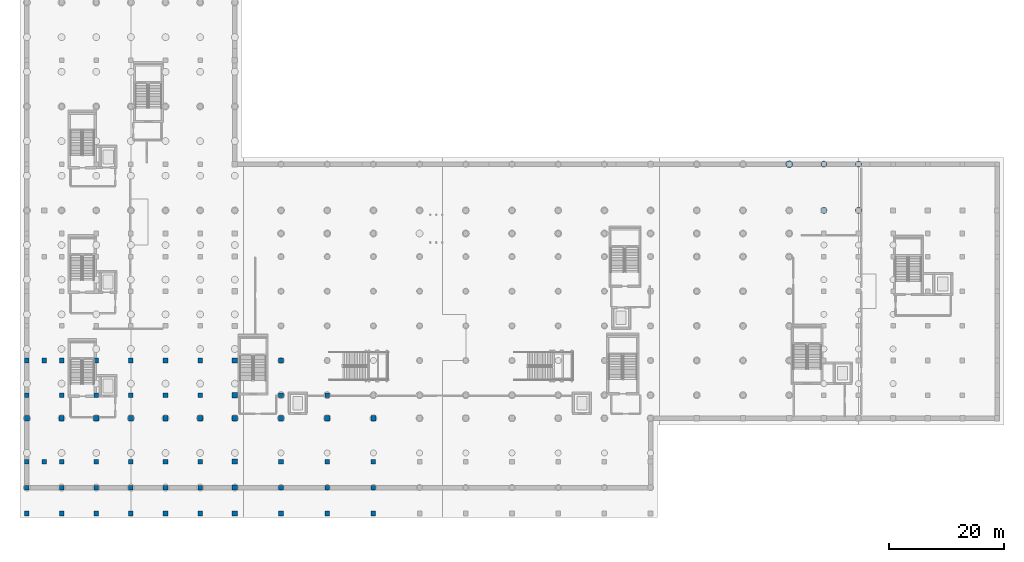
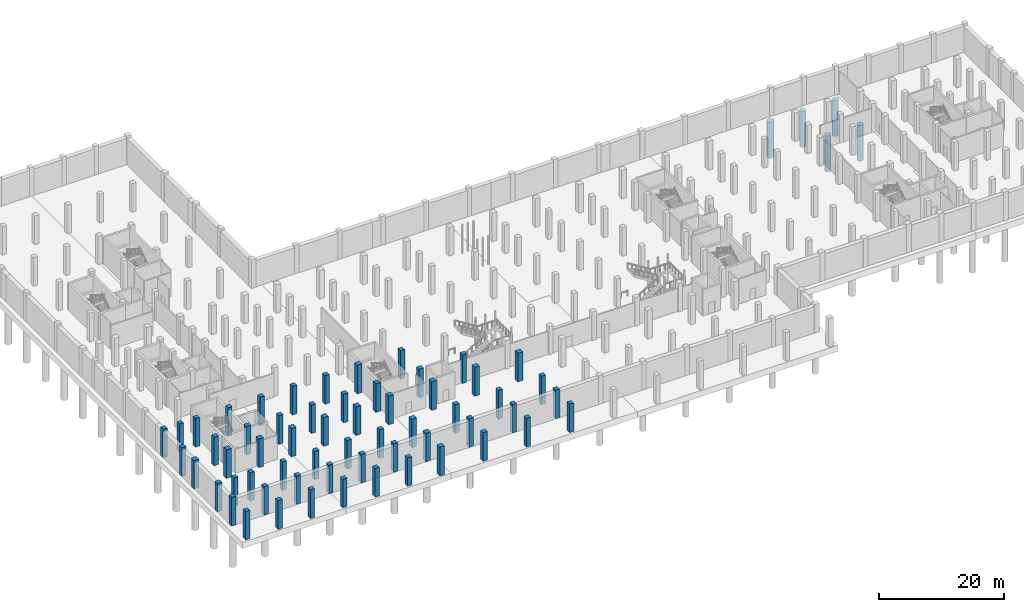
# One storey, part 2 of 26: 59 columns, 5 piles.
"""IFC4 building model written with IfcOpenShell, lengths in metres."""

from ifc_helpers import new_model, si_unit, direction, frame, origin, origin_2d, place, context, subcontext, project, spatial, rectangle, circle, extrude, material, material_profile, profile_set, type_object, element, save


model = new_model("IFC4")

# Units and contexts
model_context = context("Model", 3, precision=1e-05, world=origin(), true_north=direction((0.0, 1.0)))
body_context = subcontext(model_context, "Body", "Model", "MODEL_VIEW")
ifc_project = project(units=[si_unit("LENGTHUNIT", "METRE"), si_unit("AREAUNIT", "SQUARE_METRE"), si_unit("VOLUMEUNIT", "CUBIC_METRE"), si_unit("PLANEANGLEUNIT", "RADIAN"), si_unit("MASSUNIT", "GRAM", prefix="KILO")], contexts=[model_context])

# Site, building, storey
site_placement = place(None, origin())
site = spatial("IfcSite", under=ifc_project, at=site_placement, CompositionType="ELEMENT")
building_placement = place(site_placement, origin())
building = spatial("IfcBuilding", under=site, at=building_placement, Name="Verrall Gate Interchange", CompositionType="ELEMENT")
storey_placement = place(building_placement, frame((0.0, 0.0, -10.39990234375)))
storey = spatial("IfcBuildingStorey", under=building, at=storey_placement, Name="B2", CompositionType="ELEMENT", Elevation=-10.39990234375)

# Piles
ifc_material_1 = material(Name="Concrete CSA A23.1 35 MPa (Class S-2)", Category="concrete")
ifc_material_profile_1 = material_profile(ifc_material_1, circle(Radius=0.60009765625, at=origin_2d()), Name="PILE1200D")
ifc_profile_set_1 = profile_set([ifc_material_profile_1], Name="Concrete CSA A23.1 35 MPa (Class S-2)")
pile_type_1 = type_object("IfcPileType", Name="PT-01 Bored Pile 1200", PredefinedType="BORED", material=ifc_profile_set_1)
pile_placement = place(storey_placement, frame((132.0, 56.0, -1.050048828125), z_axis=(0.0, 0.0, -1.0), x_axis=(1.0, 0.0, 0.0)))
element("IfcPile", 1, at=pile_placement, inside=storey, type_object=pile_type_1, Name="Bored Rock-Socketed Pile P-242 (PT-01)", PredefinedType="BORED", context=body_context, shape_type="SweptSolid", body=[
    extrude(circle(Radius=0.60009765625, at=origin_2d()), origin(), (0.0, 0.0, 1.0), 7.050048828125),
])
ifc_material_2 = material(Name="Concrete CSA A23.1 35 MPa (Class S-2)", Category="concrete")
ifc_material_profile_2 = material_profile(ifc_material_2, circle(Radius=0.52490234375, at=origin_2d()), Name="PILE1050D")
ifc_profile_set_2 = profile_set([ifc_material_profile_2], Name="Concrete CSA A23.1 35 MPa (Class S-2)")
pile_type_2 = type_object("IfcPileType", Name="PT-02 Bored Pile 1050", PredefinedType="BORED", material=ifc_profile_set_2)
for number, where, z_axis, x_axis, name in (
    (2, (138.0, 48.0, -1.050048828125), (0.0, 0.0, -1.0), (1.0, 0.0, 0.0), "Bored Rock-Socketed Pile P-249 (PT-02)"),
    (3, (138.0, 56.0, -1.050048828125), (0.0, 0.0, -1.0), (1.0, 0.0, 0.0), "Bored Rock-Socketed Pile P-250 (PT-02)"),
    (4, (144.0, 48.0, -1.050048828125), (0.0, 0.0, -1.0), (1.0, 0.0, 0.0), "Bored Rock-Socketed Pile P-257 (PT-02)"),
    (5, (144.0, 56.0, -1.050048828125), (0.0, 0.0, -1.0), (1.0, 0.0, 0.0), "Bored Rock-Socketed Pile P-258 (PT-02)"),
):
    element("IfcPile", number, at=place(storey_placement, frame(where, z_axis=z_axis, x_axis=x_axis)), inside=storey, type_object=pile_type_2, Name=name, PredefinedType="BORED", context=body_context, shape_type="SweptSolid", body=[
        extrude(circle(Radius=0.52490234375, at=origin_2d()), origin(), (0.0, 0.0, 1.0), 7.050048828125),
    ])

# Columns
ifc_material_3 = material(Name="Concrete CSA A23.1 40 MPa (Class N)", Category="concrete")
ifc_material_profile_3 = material_profile(ifc_material_3, rectangle(XDim=0.89990234375, YDim=0.89990234375, at=origin_2d()), Name="RC900x900")
ifc_profile_set_3 = profile_set([ifc_material_profile_3], Name="Concrete CSA A23.1 40 MPa (Class N)")
column_type_1 = type_object("IfcColumnType", Name="C-01 Column RC900x900", PredefinedType="COLUMN", material=ifc_profile_set_3)
for number, where, z_axis, x_axis, name in (
    (6, (0.0, 12.0, 0.0), (0.0, 0.0, 1.0), (1.0, 0.0, 0.0), "B2 Column COL-B2-0016 (C-01)"),
    (7, (6.0, 12.0, 0.0), (0.0, 0.0, 1.0), (1.0, 0.0, 0.0), "B2 Column COL-B2-0145 (C-01)"),
    (8, (12.0, 12.0, 0.0), (0.0, 0.0, 1.0), (1.0, 0.0, 0.0), "B2 Column COL-B2-0262 (C-01)"),
    (9, (18.0, 12.0, 0.0), (0.0, 0.0, 1.0), (1.0, 0.0, 0.0), "B2 Column COL-B2-0379 (C-01)"),
    (10, (24.0, 12.0, 0.0), (0.0, 0.0, 1.0), (1.0, 0.0, 0.0), "B2 Column COL-B2-0496 (C-01)"),
    (11, (30.0, 12.0, 0.0), (0.0, 0.0, 1.0), (1.0, 0.0, 0.0), "B2 Column COL-B2-0613 (C-01)"),
    (12, (36.0, -4.5, 0.0), (0.0, 0.0, 1.0), (1.0, 0.0, 0.0), "B2 Column COL-B2-0714 (C-01)"),
    (13, (36.0, 0.0, 0.0), (0.0, 0.0, 1.0), (1.0, 0.0, 0.0), "B2 Column COL-B2-0716 (C-01)"),
    (14, (36.0, 4.5, 0.0), (0.0, 0.0, 1.0), (1.0, 0.0, 0.0), "B2 Column COL-B2-0722 (C-01)"),
    (15, (36.0, 12.0, 0.0), (0.0, 0.0, 1.0), (1.0, 0.0, 0.0), "B2 Column COL-B2-0730 (C-01)"),
    (16, (36.0, 16.0, 0.0), (0.0, 0.0, 1.0), (1.0, 0.0, 0.0), "B2 Column COL-B2-0738 (C-01)"),
    (17, (36.0, 22.0, 0.0), (0.0, 0.0, 1.0), (1.0, 0.0, 0.0), "B2 Column COL-B2-0746 (C-01)"),
    (18, (44.0, 12.0, 0.0), (0.0, 0.0, 1.0), (1.0, 0.0, 0.0), "B2 Column COL-B2-0834 (C-01)"),
    (19, (52.0, 12.0, 0.0), (0.0, 0.0, 1.0), (1.0, 0.0, 0.0), "B2 Column COL-B2-0872 (C-01)"),
    (20, (60.0, 12.0, 0.0), (0.0, 0.0, 1.0), (1.0, 0.0, 0.0), "B2 Column COL-B2-0910 (C-01)"),
):
    element("IfcColumn", number, at=place(storey_placement, frame(where, z_axis=z_axis, x_axis=x_axis)), inside=storey, type_object=column_type_1, Name=name, PredefinedType="COLUMN", context=body_context, shape_type="SweptSolid", body=[
        extrude(rectangle(XDim=0.89990234375, YDim=0.89990234375, at=origin_2d()), origin(), (0.0, 0.0, 1.0), 5.599853515625),
    ])
ifc_material_4 = material(Name="Concrete CSA A23.1 40 MPa (Class N)", Category="concrete")
ifc_material_profile_4 = material_profile(ifc_material_4, rectangle(XDim=0.800048828125, YDim=0.800048828125, at=origin_2d()), Name="RC800x800")
ifc_profile_set_4 = profile_set([ifc_material_profile_4], Name="Concrete CSA A23.1 40 MPa (Class N)")
column_type_2 = type_object("IfcColumnType", Name="C-02 Column RC800x800", PredefinedType="COLUMN", material=ifc_profile_set_4)
for number, where, z_axis, x_axis, name in (
    (21, (0.0, -4.5, 0.0), (0.0, 0.0, 1.0), (1.0, 0.0, 0.0), "B2 Column COL-B2-0001 (C-02)"),
    (22, (0.0, 0.0, 0.0), (0.0, 0.0, 1.0), (1.0, 0.0, 0.0), "B2 Column COL-B2-0003 (C-02)"),
    (23, (0.0, 4.5, 0.0), (0.0, 0.0, 1.0), (1.0, 0.0, 0.0), "B2 Column COL-B2-0009 (C-02)"),
    (24, (0.0, 16.0, 0.0), (0.0, 0.0, 1.0), (1.0, 0.0, 0.0), "B2 Column COL-B2-0023 (C-02)"),
    (25, (0.0, 22.0, 0.0), (0.0, 0.0, 1.0), (1.0, 0.0, 0.0), "B2 Column COL-B2-0030 (C-02)"),
    (26, (3.0, 4.5, 0.0), (0.0, 0.0, 1.0), (1.0, 0.0, 0.0), "B2 Column COL-B2-0101 (C-02)"),
    (27, (3.0, 22.0, 0.0), (0.0, 0.0, 1.0), (1.0, 0.0, 0.0), "B2 Column COL-B2-0108 (C-02)"),
    (28, (6.0, -4.5, 0.0), (0.0, 0.0, 1.0), (1.0, 0.0, 0.0), "B2 Column COL-B2-0129 (C-02)"),
    (29, (6.0, 0.0, 0.0), (0.0, 0.0, 1.0), (1.0, 0.0, 0.0), "B2 Column COL-B2-0131 (C-02)"),
    (30, (6.0, 4.5, 0.0), (0.0, 0.0, 1.0), (1.0, 0.0, 0.0), "B2 Column COL-B2-0137 (C-02)"),
    (31, (6.0, 16.0, 0.0), (0.0, 0.0, 1.0), (1.0, 0.0, 0.0), "B2 Column COL-B2-0154 (C-02)"),
    (32, (6.0, 22.0, 0.0), (0.0, 0.0, 1.0), (1.0, 0.0, 0.0), "B2 Column COL-B2-0163 (C-02)"),
    (33, (12.0, -4.5, 0.0), (0.0, 0.0, 1.0), (1.0, 0.0, 0.0), "B2 Column COL-B2-0246 (C-02)"),
    (34, (12.0, 0.0, 0.0), (0.0, 0.0, 1.0), (1.0, 0.0, 0.0), "B2 Column COL-B2-0248 (C-02)"),
    (35, (12.0, 4.5, 0.0), (0.0, 0.0, 1.0), (1.0, 0.0, 0.0), "B2 Column COL-B2-0254 (C-02)"),
    (36, (12.0, 16.0, 0.0), (0.0, 0.0, 1.0), (1.0, 0.0, 0.0), "B2 Column COL-B2-0271 (C-02)"),
    (37, (12.0, 22.0, 0.0), (0.0, 0.0, 1.0), (1.0, 0.0, 0.0), "B2 Column COL-B2-0280 (C-02)"),
    (38, (18.0, -4.5, 0.0), (0.0, 0.0, 1.0), (1.0, 0.0, 0.0), "B2 Column COL-B2-0363 (C-02)"),
    (39, (18.0, 0.0, 0.0), (0.0, 0.0, 1.0), (1.0, 0.0, 0.0), "B2 Column COL-B2-0365 (C-02)"),
    (40, (18.0, 4.5, 0.0), (0.0, 0.0, 1.0), (1.0, 0.0, 0.0), "B2 Column COL-B2-0371 (C-02)"),
    (41, (18.0, 16.0, 0.0), (0.0, 0.0, 1.0), (1.0, 0.0, 0.0), "B2 Column COL-B2-0388 (C-02)"),
    (42, (18.0, 22.0, 0.0), (0.0, 0.0, 1.0), (1.0, 0.0, 0.0), "B2 Column COL-B2-0397 (C-02)"),
    (43, (24.0, -4.5, 0.0), (0.0, 0.0, 1.0), (1.0, 0.0, 0.0), "B2 Column COL-B2-0480 (C-02)"),
    (44, (24.0, 0.0, 0.0), (0.0, 0.0, 1.0), (1.0, 0.0, 0.0), "B2 Column COL-B2-0482 (C-02)"),
    (45, (24.0, 4.5, 0.0), (0.0, 0.0, 1.0), (1.0, 0.0, 0.0), "B2 Column COL-B2-0488 (C-02)"),
    (46, (24.0, 16.0, 0.0), (0.0, 0.0, 1.0), (1.0, 0.0, 0.0), "B2 Column COL-B2-0505 (C-02)"),
    (47, (24.0, 22.0, 0.0), (0.0, 0.0, 1.0), (1.0, 0.0, 0.0), "B2 Column COL-B2-0514 (C-02)"),
    (48, (30.0, -4.5, 0.0), (0.0, 0.0, 1.0), (1.0, 0.0, 0.0), "B2 Column COL-B2-0597 (C-02)"),
    (49, (30.0, 0.0, 0.0), (0.0, 0.0, 1.0), (1.0, 0.0, 0.0), "B2 Column COL-B2-0599 (C-02)"),
    (50, (30.0, 4.5, 0.0), (0.0, 0.0, 1.0), (1.0, 0.0, 0.0), "B2 Column COL-B2-0605 (C-02)"),
    (51, (30.0, 16.0, 0.0), (0.0, 0.0, 1.0), (1.0, 0.0, 0.0), "B2 Column COL-B2-0622 (C-02)"),
    (52, (30.0, 22.0, 0.0), (0.0, 0.0, 1.0), (1.0, 0.0, 0.0), "B2 Column COL-B2-0631 (C-02)"),
    (53, (44.0, -4.5, 0.0), (0.0, 0.0, 1.0), (1.0, 0.0, 0.0), "B2 Column COL-B2-0824 (C-02)"),
    (54, (44.0, 0.0, 0.0), (0.0, 0.0, 1.0), (1.0, 0.0, 0.0), "B2 Column COL-B2-0826 (C-02)"),
    (55, (44.0, 4.5, 0.0), (0.0, 0.0, 1.0), (1.0, 0.0, 0.0), "B2 Column COL-B2-0830 (C-02)"),
    (56, (44.0, 16.0, 0.0), (0.0, 0.0, 1.0), (1.0, 0.0, 0.0), "B2 Column COL-B2-0838 (C-02)"),
    (57, (44.0, 22.0, 0.0), (0.0, 0.0, 1.0), (1.0, 0.0, 0.0), "B2 Column COL-B2-0842 (C-02)"),
    (58, (52.0, -4.5, 0.0), (0.0, 0.0, 1.0), (1.0, 0.0, 0.0), "B2 Column COL-B2-0862 (C-02)"),
    (59, (52.0, 0.0, 0.0), (0.0, 0.0, 1.0), (1.0, 0.0, 0.0), "B2 Column COL-B2-0864 (C-02)"),
    (60, (52.0, 4.5, 0.0), (0.0, 0.0, 1.0), (1.0, 0.0, 0.0), "B2 Column COL-B2-0868 (C-02)"),
    (61, (52.0, 16.0, 0.0), (0.0, 0.0, 1.0), (1.0, 0.0, 0.0), "B2 Column COL-B2-0876 (C-02)"),
    (62, (60.0, -4.5, 0.0), (0.0, 0.0, 1.0), (1.0, 0.0, 0.0), "B2 Column COL-B2-0900 (C-02)"),
    (63, (60.0, 0.0, 0.0), (0.0, 0.0, 1.0), (1.0, 0.0, 0.0), "B2 Column COL-B2-0902 (C-02)"),
    (64, (60.0, 4.5, 0.0), (0.0, 0.0, 1.0), (1.0, 0.0, 0.0), "B2 Column COL-B2-0906 (C-02)"),
):
    element("IfcColumn", number, at=place(storey_placement, frame(where, z_axis=z_axis, x_axis=x_axis)), inside=storey, type_object=column_type_2, Name=name, PredefinedType="COLUMN", context=body_context, shape_type="SweptSolid", body=[
        extrude(rectangle(XDim=0.800048828125, YDim=0.800048828125, at=origin_2d()), origin(), (0.0, 0.0, 1.0), 5.599853515625),
    ])

save(model, "model.ifc")
